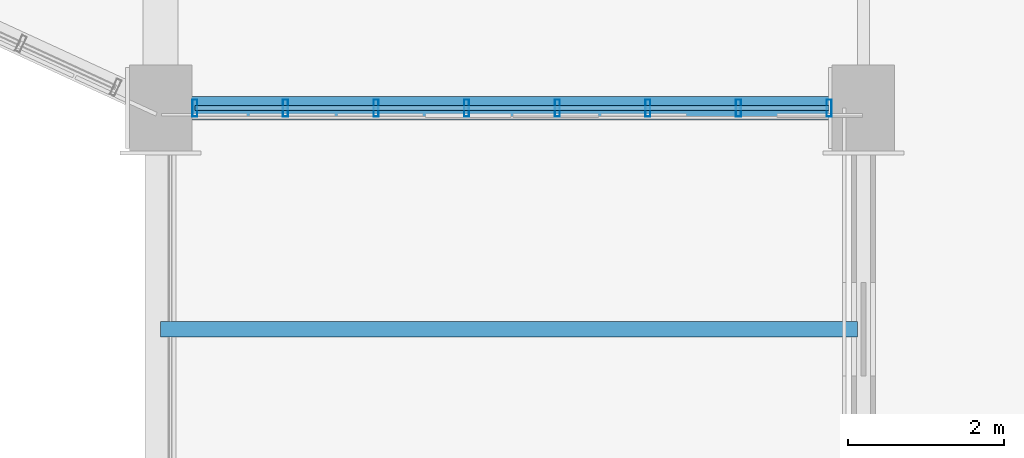
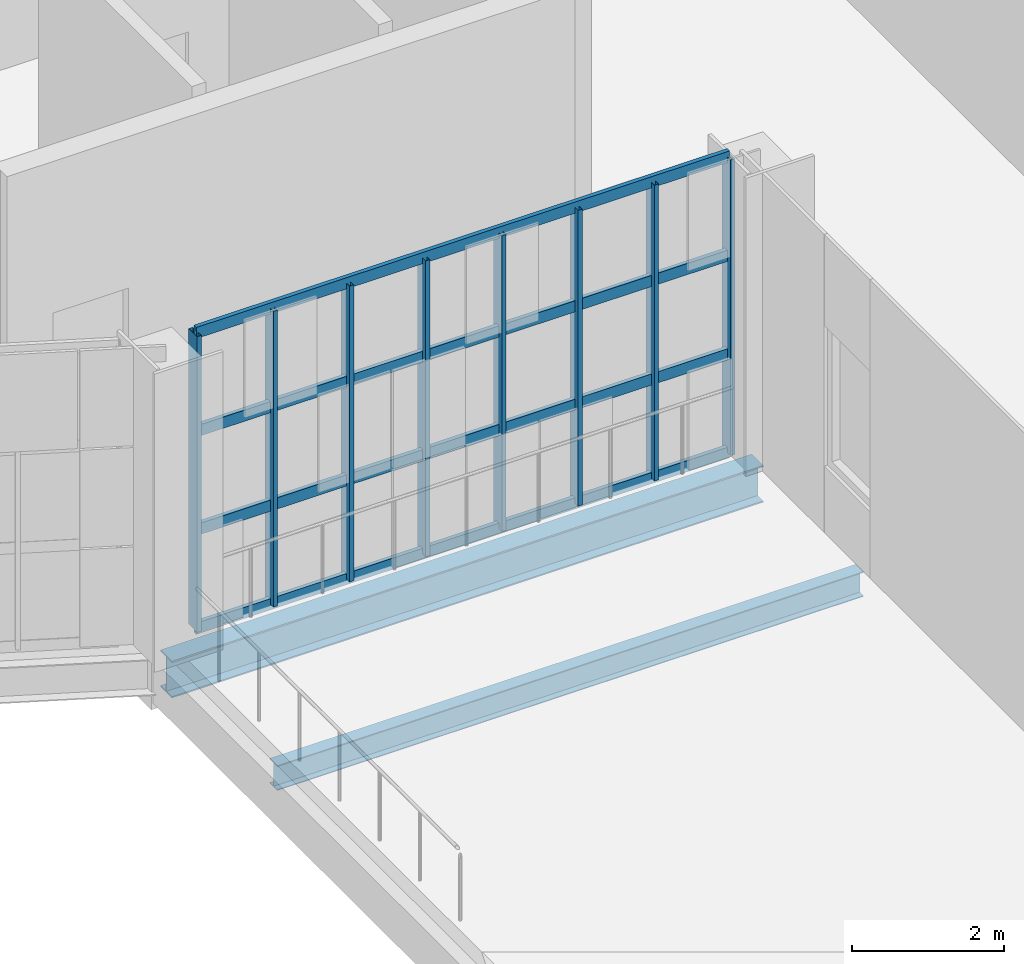
# One storey, part 53 of 86: 12 members, 2 beams, 1 element without a shape of its own.
"""IFC4 building model written with IfcOpenShell, lengths in metres."""

from ifc_helpers import new_model, si_unit, direction, frame, origin, origin_2d, place, context, subcontext, project, spatial, hollow_rectangle, i_section, extrude, material, material_profile, profile_set, type_object, element, aggregate, save


model = new_model("IFC4")

# Units and contexts
model_context = context("Model", 3, precision=1e-05, world=origin(), true_north=direction((0.0, 1.0)))
body_context = subcontext(model_context, "Body", "Model", "MODEL_VIEW")
ifc_project = project(units=[si_unit("LENGTHUNIT", "METRE"), si_unit("AREAUNIT", "SQUARE_METRE"), si_unit("VOLUMEUNIT", "CUBIC_METRE"), si_unit("PLANEANGLEUNIT", "RADIAN"), si_unit("MASSUNIT", "GRAM", prefix="KILO")], contexts=[model_context])

# Site, building, storey
site_placement = place(None, origin())
site = spatial("IfcSite", under=ifc_project, at=site_placement, CompositionType="ELEMENT")
building_placement = place(site_placement, origin())
building = spatial("IfcBuilding", under=site, at=building_placement, Name="Solvikara Media Centre", CompositionType="ELEMENT")
storey_placement = place(building_placement, frame((0.0, 0.0, 15.0)))
storey = spatial("IfcBuildingStorey", under=building, at=storey_placement, Name="L03", CompositionType="ELEMENT", Elevation=15.0)

# Beams
ifc_material_1 = material(Name="Steel S355JR", Category="steel")
ifc_material_profile_1 = material_profile(ifc_material_1, i_section(OverallWidth=0.199951171875, OverallDepth=0.39990234375, WebThickness=0.008056640625, FlangeThickness=0.012939453125, at=origin_2d()), Name="WF 400x200x8x13")
ifc_profile_set_1 = profile_set([ifc_material_profile_1], Name="Steel S355JR")
beam_type_1 = type_object("IfcBeamType", Name="BM-21", PredefinedType="JOIST", material=ifc_profile_set_1)
beam_1_placement = place(storey_placement, frame((127.5, 16.492919921875, -0.471923828125), z_axis=(1.0, 0.0, 0.0), x_axis=(0.0, 1.0, 0.0)))
element("IfcBeam", 1, at=beam_1_placement, inside=storey, type_object=beam_type_1, Name="J-L03-1409", PredefinedType="JOIST", context=body_context, shape_type="SweptSolid", body=[
    extrude(i_section(OverallWidth=0.199951171875, OverallDepth=0.39990234375, WebThickness=0.008056640625, FlangeThickness=0.012939453125, at=origin_2d()), origin(), (0.0, 0.0, 1.0), 8.922119140625),
])
ifc_material_profile_2 = material_profile(ifc_material_1, i_section(OverallWidth=0.302001953125, OverallDepth=0.593994140625, WebThickness=0.013916015625, FlangeThickness=0.02294921875, at=origin_2d()), Name="H 594x302x14x23")
ifc_profile_set_2 = profile_set([ifc_material_profile_2], Name="Steel S355JR")
beam_type_2 = type_object("IfcBeamType", Name="BM-41", PredefinedType="BEAM", material=ifc_profile_set_2)
beam_2_placement = place(storey_placement, frame((127.5, 19.320068359375, -0.569091796875), z_axis=(1.0, 0.0, 0.0), x_axis=(0.0, 1.0, 0.0)))
element("IfcBeam", 2, at=beam_2_placement, inside=storey, type_object=beam_type_2, Name="B-L03-X1173", PredefinedType="BEAM", context=body_context, shape_type="SweptSolid", body=[
    extrude(i_section(OverallWidth=0.302001953125, OverallDepth=0.593994140625, WebThickness=0.013916015625, FlangeThickness=0.02294921875, at=origin_2d()), origin(), (0.0, 0.0, 1.0), 9.0),
])

# Curtain wall, members
ifc_material_2 = material(Name="Anodised aluminium EN AW-6063", Category="aluminium")
curtain_wall_type = type_object("IfcCurtainWallType", Name="CW-10", PredefinedType="NOTDEFINED", material=ifc_material_2)
curtain_wall_placement = place(storey_placement, origin())
curtain_wall = element("IfcCurtainWall", 3, at=curtain_wall_placement, inside=storey, type_object=curtain_wall_type, Name="CW-L03-BHES", PredefinedType="NOTDEFINED")
ifc_material_profile_3 = material_profile(ifc_material_2, hollow_rectangle(XDim=0.06494140625, YDim=0.219970703125, WallThickness=0.00390625, at=origin_2d()), Name="ALU-M 65x220x4")
ifc_profile_set_3 = profile_set([ifc_material_profile_3], Name="Anodised aluminium EN AW-6063")
member_type_1 = type_object("IfcMemberType", Name="MF-01", PredefinedType="MULLION", material=ifc_profile_set_3)
member_1_placement = place(storey_placement, frame((127.93994140625, 19.323974609375, 0.02001953125), z_axis=(0.0, 0.0, 1.0), x_axis=(1.0, 0.0, 0.0)))
member_1 = element("IfcMember", 4, at=member_1_placement, type_object=member_type_1, Name="CW-L03-BHES-M00", PredefinedType="MULLION", context=body_context, shape_type="SweptSolid", body=[
    extrude(hollow_rectangle(XDim=0.06494140625, YDim=0.219970703125, WallThickness=0.00390625, at=origin_2d()), origin(), (0.0, 0.0, 1.0), 4.760009765625),
])
member_2_placement = place(storey_placement, frame((129.10009765625, 19.323974609375, 0.02001953125), z_axis=(0.0, 0.0, 1.0), x_axis=(1.0, 0.0, 0.0)))
member_2 = element("IfcMember", 5, at=member_2_placement, type_object=member_type_1, Name="CW-L03-BHES-M01", PredefinedType="MULLION", context=body_context, shape_type="SweptSolid", body=[
    extrude(hollow_rectangle(XDim=0.06494140625, YDim=0.219970703125, WallThickness=0.00390625, at=origin_2d()), origin(), (0.0, 0.0, 1.0), 4.760009765625),
])
member_3_placement = place(storey_placement, frame((130.260009765625, 19.323974609375, 0.02001953125), z_axis=(0.0, 0.0, 1.0), x_axis=(1.0, 0.0, 0.0)))
member_3 = element("IfcMember", 6, at=member_3_placement, type_object=member_type_1, Name="CW-L03-BHES-M02", PredefinedType="MULLION", context=body_context, shape_type="SweptSolid", body=[
    extrude(hollow_rectangle(XDim=0.06494140625, YDim=0.219970703125, WallThickness=0.00390625, at=origin_2d()), origin(), (0.0, 0.0, 1.0), 4.760009765625),
])
member_4_placement = place(storey_placement, frame((131.419921875, 19.323974609375, 0.02001953125), z_axis=(0.0, 0.0, 1.0), x_axis=(1.0, 0.0, 0.0)))
member_4 = element("IfcMember", 7, at=member_4_placement, type_object=member_type_1, Name="CW-L03-BHES-M03", PredefinedType="MULLION", context=body_context, shape_type="SweptSolid", body=[
    extrude(hollow_rectangle(XDim=0.06494140625, YDim=0.219970703125, WallThickness=0.00390625, at=origin_2d()), origin(), (0.0, 0.0, 1.0), 4.760009765625),
])
member_5_placement = place(storey_placement, frame((132.580078125, 19.323974609375, 0.02001953125), z_axis=(0.0, 0.0, 1.0), x_axis=(1.0, 0.0, 0.0)))
member_5 = element("IfcMember", 8, at=member_5_placement, type_object=member_type_1, Name="CW-L03-BHES-M04", PredefinedType="MULLION", context=body_context, shape_type="SweptSolid", body=[
    extrude(hollow_rectangle(XDim=0.06494140625, YDim=0.219970703125, WallThickness=0.00390625, at=origin_2d()), origin(), (0.0, 0.0, 1.0), 4.760009765625),
])
member_6_placement = place(storey_placement, frame((133.739990234375, 19.323974609375, 0.02001953125), z_axis=(0.0, 0.0, 1.0), x_axis=(1.0, 0.0, 0.0)))
member_6 = element("IfcMember", 9, at=member_6_placement, type_object=member_type_1, Name="CW-L03-BHES-M05", PredefinedType="MULLION", context=body_context, shape_type="SweptSolid", body=[
    extrude(hollow_rectangle(XDim=0.06494140625, YDim=0.219970703125, WallThickness=0.00390625, at=origin_2d()), origin(), (0.0, 0.0, 1.0), 4.760009765625),
])
member_7_placement = place(storey_placement, frame((134.89990234375, 19.323974609375, 0.02001953125), z_axis=(0.0, 0.0, 1.0), x_axis=(1.0, 0.0, 0.0)))
member_7 = element("IfcMember", 10, at=member_7_placement, type_object=member_type_1, Name="CW-L03-BHES-M06", PredefinedType="MULLION", context=body_context, shape_type="SweptSolid", body=[
    extrude(hollow_rectangle(XDim=0.06494140625, YDim=0.219970703125, WallThickness=0.00390625, at=origin_2d()), origin(), (0.0, 0.0, 1.0), 4.760009765625),
])
member_8_placement = place(storey_placement, frame((136.06005859375, 19.323974609375, 0.02001953125), z_axis=(0.0, 0.0, 1.0), x_axis=(1.0, 0.0, 0.0)))
member_8 = element("IfcMember", 11, at=member_8_placement, type_object=member_type_1, Name="CW-L03-BHES-M07", PredefinedType="MULLION", context=body_context, shape_type="SweptSolid", body=[
    extrude(hollow_rectangle(XDim=0.06494140625, YDim=0.219970703125, WallThickness=0.00390625, at=origin_2d()), origin(), (0.0, 0.0, 1.0), 4.760009765625),
])
ifc_material_profile_4 = material_profile(ifc_material_2, hollow_rectangle(XDim=0.06494140625, YDim=0.179931640625, WallThickness=0.00341796875, at=origin_2d()), Name="ALU-T 65x180x3.5")
ifc_profile_set_4 = profile_set([ifc_material_profile_4], Name="Anodised aluminium EN AW-6063")
member_type_2 = type_object("IfcMemberType", Name="MF-07", PredefinedType="USERDEFINED", material=ifc_profile_set_4)
member_9_placement = place(storey_placement, frame((127.93994140625, 19.323974609375, 0.02001953125), z_axis=(1.0, 0.0, 0.0), x_axis=(0.0, 1.0, 0.0)))
member_9 = element("IfcMember", 12, at=member_9_placement, type_object=member_type_2, Name="CW-L03-BHES-T00", ObjectType="TRANSOM", PredefinedType="USERDEFINED", context=body_context, shape_type="SweptSolid", body=[
    extrude(hollow_rectangle(XDim=0.06494140625, YDim=0.179931640625, WallThickness=0.00341796875, at=origin_2d()), origin(), (0.0, 0.0, 1.0), 8.1201171875),
])
member_10_placement = place(storey_placement, frame((127.93994140625, 19.323974609375, 1.60693359375), z_axis=(1.0, 0.0, 0.0), x_axis=(0.0, 1.0, 0.0)))
member_10 = element("IfcMember", 13, at=member_10_placement, type_object=member_type_2, Name="CW-L03-BHES-T01", ObjectType="TRANSOM", PredefinedType="USERDEFINED", context=body_context, shape_type="SweptSolid", body=[
    extrude(hollow_rectangle(XDim=0.06494140625, YDim=0.179931640625, WallThickness=0.00341796875, at=origin_2d()), origin(), (0.0, 0.0, 1.0), 8.1201171875),
])
member_11_placement = place(storey_placement, frame((127.93994140625, 19.323974609375, 3.193115234375), z_axis=(1.0, 0.0, 0.0), x_axis=(0.0, 1.0, 0.0)))
member_11 = element("IfcMember", 14, at=member_11_placement, type_object=member_type_2, Name="CW-L03-BHES-T02", ObjectType="TRANSOM", PredefinedType="USERDEFINED", context=body_context, shape_type="SweptSolid", body=[
    extrude(hollow_rectangle(XDim=0.06494140625, YDim=0.179931640625, WallThickness=0.00341796875, at=origin_2d()), origin(), (0.0, 0.0, 1.0), 8.1201171875),
])
member_12_placement = place(storey_placement, frame((127.93994140625, 19.323974609375, 4.780029296875), z_axis=(1.0, 0.0, 0.0), x_axis=(0.0, 1.0, 0.0)))
member_12 = element("IfcMember", 15, at=member_12_placement, type_object=member_type_2, Name="CW-L03-BHES-T03", ObjectType="TRANSOM", PredefinedType="USERDEFINED", context=body_context, shape_type="SweptSolid", body=[
    extrude(hollow_rectangle(XDim=0.06494140625, YDim=0.179931640625, WallThickness=0.00341796875, at=origin_2d()), origin(), (0.0, 0.0, 1.0), 8.1201171875),
])
aggregate(curtain_wall, [member_1, member_2, member_3, member_4, member_5, member_6, member_7, member_8, member_9, member_10, member_11, member_12])

save(model, "model.ifc")
